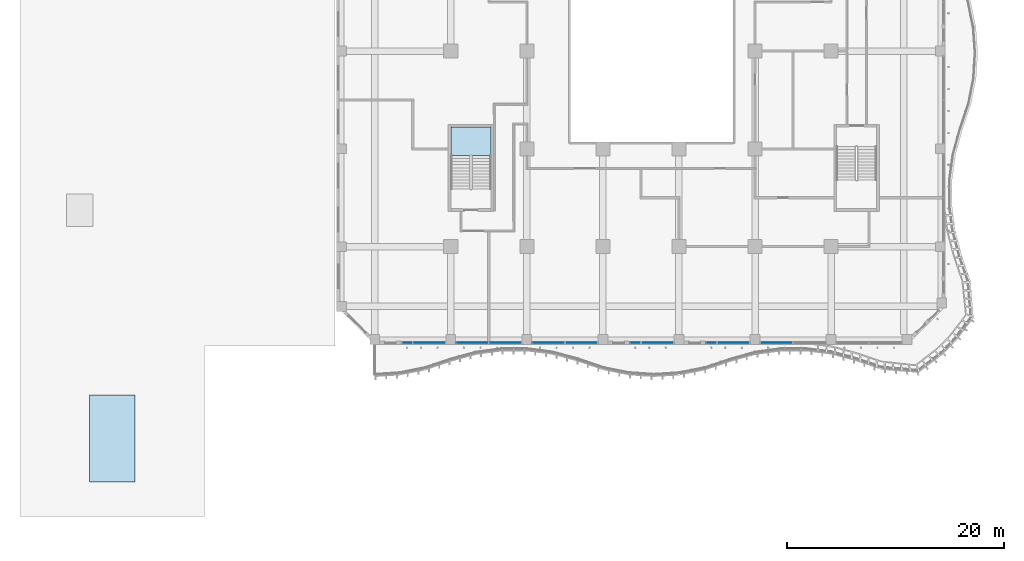
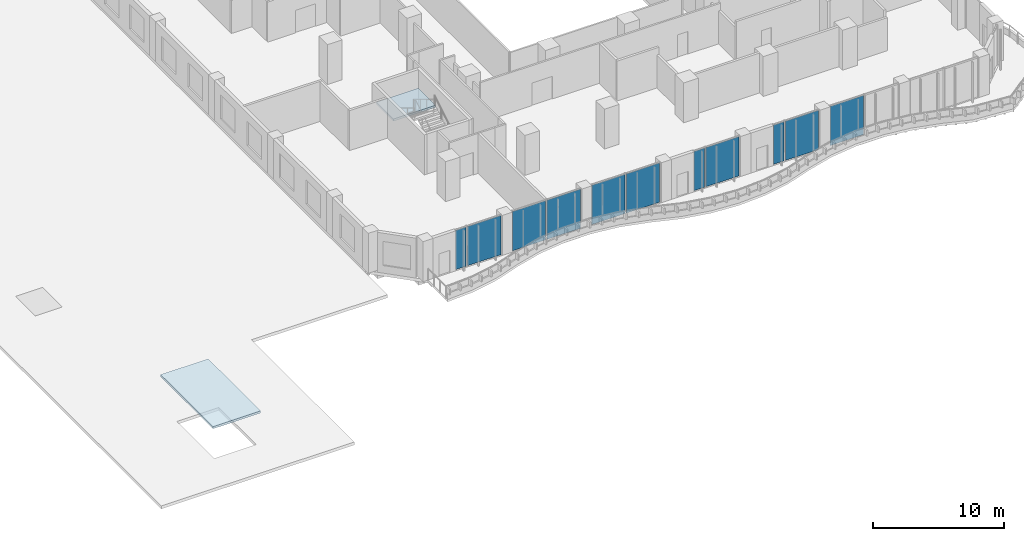
# One storey, part 11 of 29: 11 plates, 2 slabs, 12 elements without a shape of their own.
"""IFC4 building model written with IfcOpenShell, lengths in metres."""

from ifc_helpers import new_model, si_unit, direction, frame, origin, origin_2d, place, context, subcontext, project, spatial, polyline, rectangle, outline, extrude, source, transform, mapped, material, layer, layer_set, type_object, element, aggregate, save


model = new_model("IFC4")

# Units and contexts
model_context = context("Model", 3, precision=1e-05, world=origin(), true_north=direction((0.0, 1.0)))
body_context = subcontext(model_context, "Body", "Model", "MODEL_VIEW")
ifc_project = project(units=[si_unit("LENGTHUNIT", "METRE"), si_unit("AREAUNIT", "SQUARE_METRE"), si_unit("VOLUMEUNIT", "CUBIC_METRE"), si_unit("PLANEANGLEUNIT", "RADIAN"), si_unit("MASSUNIT", "GRAM", prefix="KILO")], contexts=[model_context])

# Site, building, storey
site_placement = place(None, origin())
site = spatial("IfcSite", under=ifc_project, at=site_placement, CompositionType="ELEMENT")
building_placement = place(site_placement, origin())
building = spatial("IfcBuilding", under=site, at=building_placement, Name="Kilnfold Tower and Market Hall", CompositionType="ELEMENT")
storey_placement = place(building_placement, frame((0.0, 0.0, 27.0)))
storey = spatial("IfcBuildingStorey", under=building, at=storey_placement, Name="L05", CompositionType="ELEMENT", Elevation=27.0)

# Curtain wall, plate
ifc_material_1 = material(Name="Aluminium and double glazing", Category="aluminium")
curtain_wall_type = type_object("IfcCurtainWallType", Name="CW OF1 VALLEY GLAZING", PredefinedType="NOTDEFINED", material=ifc_material_1)
curtain_wall_1_placement = place(storey_placement, origin())
curtain_wall_1 = element("IfcCurtainWall", 1, at=curtain_wall_1_placement, inside=storey, type_object=curtain_wall_type, Name="Curtain wall CW1 L05 S", PredefinedType="NOTDEFINED")
ifc_material_2 = material(Name="Double glazed unit")
ifc_layer_1 = layer(ifc_material_2, 0.031982421875)
ifc_layer_set_1 = layer_set([ifc_layer_1], Name="Double glazed unit")
plate_type = type_object("IfcPlateType", Name="GLAZING PANEL 32", PredefinedType="CURTAIN_PANEL", material=ifc_layer_set_1)
shared_shape_1 = source(origin(), body_context, "Body", "SweptSolid", [
    extrude(rectangle(XDim=0.929931640625, YDim=0.031982421875, at=origin_2d()), origin(), (0.0, 0.0, 1.0), 3.659912109375),
])
plate_1_placement = place(storey_placement, frame((-21.52490234375, -27.85009765625, 0.0), z_axis=(0.0, 0.0, 1.0), x_axis=(1.0, 0.0, 0.0)))
plate_1 = element("IfcPlate", 2, at=plate_1_placement, type_object=plate_type, Name="CW1 panel 1.1", PredefinedType="CURTAIN_PANEL", context=body_context, shape_type="MappedRepresentation", body=[
    mapped(shared_shape_1, transform((0.0, 0.0, 0.0))),
])
aggregate(curtain_wall_1, [plate_1])

curtain_wall_2_placement = place(storey_placement, origin())
curtain_wall_2 = element("IfcCurtainWall", 3, at=curtain_wall_2_placement, inside=storey, type_object=curtain_wall_type, Name="Curtain wall CW1 L05 S", PredefinedType="NOTDEFINED")
plate_2_placement = place(storey_placement, frame((-0.52490234375, -27.85009765625, 0.0), z_axis=(0.0, 0.0, 1.0), x_axis=(1.0, 0.0, 0.0)))
plate_2 = element("IfcPlate", 4, at=plate_2_placement, type_object=plate_type, Name="CW1 panel 1.1", PredefinedType="CURTAIN_PANEL", context=body_context, shape_type="MappedRepresentation", body=[
    mapped(shared_shape_1, transform((0.0, 0.0, 0.0))),
])
aggregate(curtain_wall_2, [plate_2])

curtain_wall_3_placement = place(storey_placement, origin())
curtain_wall_3 = element("IfcCurtainWall", 5, at=curtain_wall_3_placement, inside=storey, type_object=curtain_wall_type, Name="Curtain wall CW1 L05 S", PredefinedType="NOTDEFINED")
plate_3_placement = place(storey_placement, frame((6.47509765625, -27.85009765625, 0.0), z_axis=(0.0, 0.0, 1.0), x_axis=(1.0, 0.0, 0.0)))
plate_3 = element("IfcPlate", 6, at=plate_3_placement, type_object=plate_type, Name="CW1 panel 1.1", PredefinedType="CURTAIN_PANEL", context=body_context, shape_type="MappedRepresentation", body=[
    mapped(shared_shape_1, transform((0.0, 0.0, 0.0))),
])
aggregate(curtain_wall_3, [plate_3])

curtain_wall_4_placement = place(storey_placement, origin())
curtain_wall_4 = element("IfcCurtainWall", 7, at=curtain_wall_4_placement, inside=storey, type_object=curtain_wall_type, Name="Curtain wall CW1 L05 S", PredefinedType="NOTDEFINED")
shared_shape_2 = source(origin(), body_context, "Body", "SweptSolid", [
    extrude(rectangle(XDim=2.929931640625, YDim=0.031982421875, at=origin_2d()), origin(), (0.0, 0.0, 1.0), 3.659912109375),
])
plate_4_placement = place(storey_placement, frame((-19.47509765625, -27.85009765625, 0.0), z_axis=(0.0, 0.0, 1.0), x_axis=(1.0, 0.0, 0.0)))
plate_4 = element("IfcPlate", 8, at=plate_4_placement, type_object=plate_type, Name="CW1 panel 1.1", PredefinedType="CURTAIN_PANEL", context=body_context, shape_type="MappedRepresentation", body=[
    mapped(shared_shape_2, transform((0.0, 0.0, 0.0))),
])
aggregate(curtain_wall_4, [plate_4])

curtain_wall_5_placement = place(storey_placement, origin())
curtain_wall_5 = element("IfcCurtainWall", 9, at=curtain_wall_5_placement, inside=storey, type_object=curtain_wall_type, Name="Curtain wall CW1 L05 S", PredefinedType="NOTDEFINED")
plate_5_placement = place(storey_placement, frame((-15.52490234375, -27.85009765625, 0.0), z_axis=(0.0, 0.0, 1.0), x_axis=(1.0, 0.0, 0.0)))
plate_5 = element("IfcPlate", 10, at=plate_5_placement, type_object=plate_type, Name="CW1 panel 1.1", PredefinedType="CURTAIN_PANEL", context=body_context, shape_type="MappedRepresentation", body=[
    mapped(shared_shape_2, transform((0.0, 0.0, 0.0))),
])
aggregate(curtain_wall_5, [plate_5])

curtain_wall_6_placement = place(storey_placement, origin())
curtain_wall_6 = element("IfcCurtainWall", 11, at=curtain_wall_6_placement, inside=storey, type_object=curtain_wall_type, Name="Curtain wall CW1 L05 S", PredefinedType="NOTDEFINED")
plate_6_placement = place(storey_placement, frame((-12.47509765625, -27.85009765625, 0.0), z_axis=(0.0, 0.0, 1.0), x_axis=(1.0, 0.0, 0.0)))
plate_6 = element("IfcPlate", 12, at=plate_6_placement, type_object=plate_type, Name="CW1 panel 1.1", PredefinedType="CURTAIN_PANEL", context=body_context, shape_type="MappedRepresentation", body=[
    mapped(shared_shape_2, transform((0.0, 0.0, 0.0))),
])
aggregate(curtain_wall_6, [plate_6])

curtain_wall_7_placement = place(storey_placement, origin())
curtain_wall_7 = element("IfcCurtainWall", 13, at=curtain_wall_7_placement, inside=storey, type_object=curtain_wall_type, Name="Curtain wall CW1 L05 S", PredefinedType="NOTDEFINED")
plate_7_placement = place(storey_placement, frame((-8.52490234375, -27.85009765625, 0.0), z_axis=(0.0, 0.0, 1.0), x_axis=(1.0, 0.0, 0.0)))
plate_7 = element("IfcPlate", 14, at=plate_7_placement, type_object=plate_type, Name="CW1 panel 1.1", PredefinedType="CURTAIN_PANEL", context=body_context, shape_type="MappedRepresentation", body=[
    mapped(shared_shape_2, transform((0.0, 0.0, 0.0))),
])
aggregate(curtain_wall_7, [plate_7])

curtain_wall_8_placement = place(storey_placement, origin())
curtain_wall_8 = element("IfcCurtainWall", 15, at=curtain_wall_8_placement, inside=storey, type_object=curtain_wall_type, Name="Curtain wall CW1 L05 S", PredefinedType="NOTDEFINED")
plate_8_placement = place(storey_placement, frame((-5.47509765625, -27.85009765625, 0.0), z_axis=(0.0, 0.0, 1.0), x_axis=(1.0, 0.0, 0.0)))
plate_8 = element("IfcPlate", 16, at=plate_8_placement, type_object=plate_type, Name="CW1 panel 1.1", PredefinedType="CURTAIN_PANEL", context=body_context, shape_type="MappedRepresentation", body=[
    mapped(shared_shape_2, transform((0.0, 0.0, 0.0))),
])
aggregate(curtain_wall_8, [plate_8])

curtain_wall_9_placement = place(storey_placement, origin())
curtain_wall_9 = element("IfcCurtainWall", 17, at=curtain_wall_9_placement, inside=storey, type_object=curtain_wall_type, Name="Curtain wall CW1 L05 S", PredefinedType="NOTDEFINED")
plate_9_placement = place(storey_placement, frame((1.52490234375, -27.85009765625, 0.0), z_axis=(0.0, 0.0, 1.0), x_axis=(1.0, 0.0, 0.0)))
plate_9 = element("IfcPlate", 18, at=plate_9_placement, type_object=plate_type, Name="CW1 panel 1.1", PredefinedType="CURTAIN_PANEL", context=body_context, shape_type="MappedRepresentation", body=[
    mapped(shared_shape_2, transform((0.0, 0.0, 0.0))),
])
aggregate(curtain_wall_9, [plate_9])

curtain_wall_10_placement = place(storey_placement, origin())
curtain_wall_10 = element("IfcCurtainWall", 19, at=curtain_wall_10_placement, inside=storey, type_object=curtain_wall_type, Name="Curtain wall CW1 L05 S", PredefinedType="NOTDEFINED")
plate_10_placement = place(storey_placement, frame((8.52490234375, -27.85009765625, 0.0), z_axis=(0.0, 0.0, 1.0), x_axis=(1.0, 0.0, 0.0)))
plate_10 = element("IfcPlate", 20, at=plate_10_placement, type_object=plate_type, Name="CW1 panel 1.1", PredefinedType="CURTAIN_PANEL", context=body_context, shape_type="MappedRepresentation", body=[
    mapped(shared_shape_2, transform((0.0, 0.0, 0.0))),
])
aggregate(curtain_wall_10, [plate_10])

curtain_wall_11_placement = place(storey_placement, origin())
curtain_wall_11 = element("IfcCurtainWall", 21, at=curtain_wall_11_placement, inside=storey, type_object=curtain_wall_type, Name="Curtain wall CW1 L05 S", PredefinedType="NOTDEFINED")
plate_11_placement = place(storey_placement, frame((12.47509765625, -27.85009765625, 0.0), z_axis=(0.0, 0.0, 1.0), x_axis=(1.0, 0.0, 0.0)))
plate_11 = element("IfcPlate", 22, at=plate_11_placement, type_object=plate_type, Name="CW1 panel 1.1", PredefinedType="CURTAIN_PANEL", context=body_context, shape_type="MappedRepresentation", body=[
    mapped(shared_shape_2, transform((0.0, 0.0, 0.0))),
])
aggregate(curtain_wall_11, [plate_11])

# Slab
ifc_material_3 = material(Name="Concrete C40/50", Category="concrete")
ifc_layer_2 = layer(ifc_material_3, 0.199951171875)
ifc_layer_set_2 = layer_set([ifc_layer_2], Name="Concrete C40/50")
slab_type_1 = type_object("IfcSlabType", Name="HEADHOUSE ROOF 200", PredefinedType="ROOF", material=ifc_layer_set_2)
shared_shape_3 = source(origin(), body_context, "Body", "SweptSolid", [
    extrude(outline(polyline([(-50.75, -40.64990234375), (-46.550048828125, -40.64990234375), (-46.550048828125, -32.64990234375), (-50.75, -32.64990234375), (-50.75, -40.64990234375)])), origin(), (0.0, 0.0, 1.0), 0.199951171875),
])
slab_1_placement = place(storey_placement, frame((0.0, 0.0, 3.0)))
element("IfcSlab", 23, at=slab_1_placement, inside=storey, type_object=slab_type_1, Name="Stair head-house roof MS1", PredefinedType="ROOF", context=body_context, shape_type="MappedRepresentation", body=[
    mapped(shared_shape_3, transform((0.0, 0.0, 0.0))),
])

# Stair, slab
ifc_material_4 = material(Name="Concrete C40/50", Category="concrete")
stair_type = type_object("IfcStairType", Name="CORE STAIR 1800", PredefinedType="HALF_TURN_STAIR", material=ifc_material_4)
stair_placement = place(storey_placement, origin())
stair = element("IfcStair", 24, at=stair_placement, inside=storey, type_object=stair_type, Name="L05 ST3", PredefinedType="HALF_TURN_STAIR")
ifc_material_5 = material(Name="Concrete C40/50", Category="concrete")
ifc_layer_3 = layer(ifc_material_5, 0.199951171875)
ifc_layer_set_3 = layer_set([ifc_layer_3], Name="Concrete C40/50")
slab_type_2 = type_object("IfcSlabType", Name="CORE STAIR LANDING 200", PredefinedType="LANDING", material=ifc_layer_set_3)
shared_shape_4 = source(origin(), body_context, "Body", "SweptSolid", [
    extrude(outline(polyline([(-13.800048828125, -10.6201171875), (-13.800048828125, -8.0), (-17.5, -8.0), (-17.5, -10.6201171875), (-13.800048828125, -10.6201171875)])), origin(), (0.0, 0.0, 1.0), 0.199951171875),
])
slab_2_placement = place(storey_placement, frame((0.0, 0.0, 1.800048828125)))
slab_2 = element("IfcSlab", 25, at=slab_2_placement, type_object=slab_type_2, Name="ST3 landing 1", PredefinedType="LANDING", context=body_context, shape_type="MappedRepresentation", body=[
    mapped(shared_shape_4, transform((0.0, 0.0, 0.0))),
])
aggregate(stair, [slab_2])

save(model, "model.ifc")
